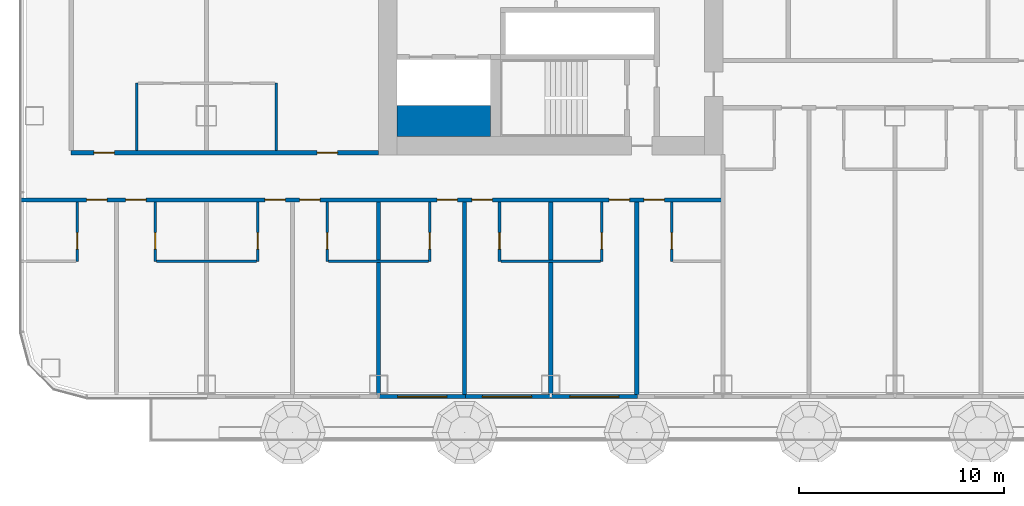
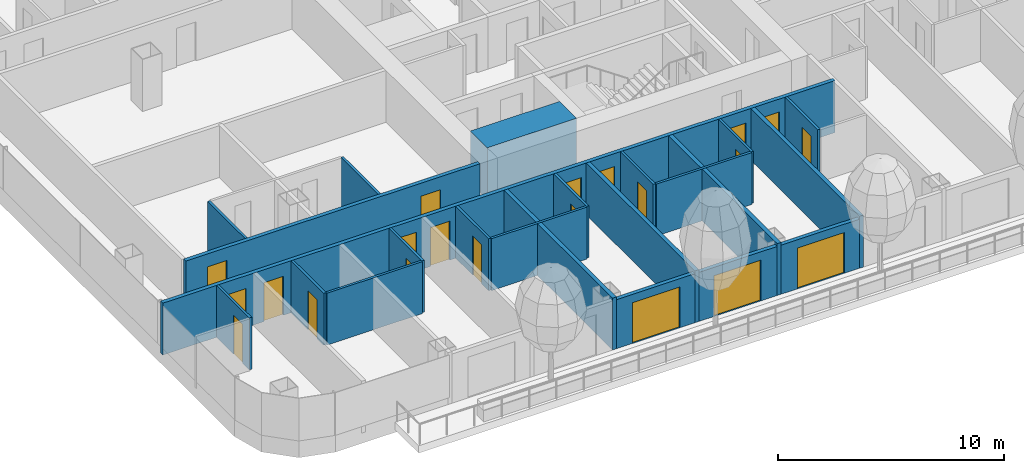
# One storey, part 13 of 37: 23 walls, 21 doors, 21 openings, 1 element without a shape of its own.
"""IFC4 building model written with IfcOpenShell, lengths in metres."""

from ifc_helpers import new_model, si_unit, direction, frame, frame_2d, origin, place, context, subcontext, project, spatial, rectangle, extrude, material, layer, layer_set, type_object, element, fill, aggregate, save


model = new_model("IFC4")

# Units and contexts
model_context = context("Model", 3, precision=1e-05, world=origin(), true_north=direction((0.0, 1.0)))
body_context = subcontext(model_context, "Body", "Model", "MODEL_VIEW")
ifc_project = project(units=[si_unit("LENGTHUNIT", "METRE"), si_unit("AREAUNIT", "SQUARE_METRE"), si_unit("VOLUMEUNIT", "CUBIC_METRE"), si_unit("PLANEANGLEUNIT", "RADIAN"), si_unit("MASSUNIT", "GRAM", prefix="KILO")], contexts=[model_context])

# Site, building, storey
site_placement = place(None, origin())
site = spatial("IfcSite", under=ifc_project, at=site_placement, CompositionType="ELEMENT")
building_placement = place(site_placement, origin())
building = spatial("IfcBuilding", under=site, at=building_placement, Name="Hakoniwa Tower and Hamabe Station Hall", CompositionType="ELEMENT")
storey_placement = place(building_placement, frame((0.0, 0.0, 39.0)))
storey = spatial("IfcBuildingStorey", under=building, at=storey_placement, Name="L10", CompositionType="ELEMENT", Elevation=39.0)

# Walls
ifc_material_1 = material(Name="Gypsum board partition", Category="gypsum")
ifc_layer_1 = layer(ifc_material_1, 0.125)
ifc_layer_set_1 = layer_set([ifc_layer_1], Name="Bathroom Partition 125")
wall_type_1 = type_object("IfcWallType", Name="Bathroom Partition 125", PredefinedType="PARTITIONING", material=ifc_layer_set_1)
for number, where, z_axis, x_axis, name in (
    (1, (-44.4375, -13.60009765625, 0.0), (0.0, 0.0, 1.0), (1.0, 0.0, 0.0), "GW-L10-002"),
    (2, (-36.03759765625, -13.60009765625, 0.0), (0.0, 0.0, 1.0), (1.0, 0.0, 0.0), "GW-L10-003"),
    (3, (-27.637451171875, -13.60009765625, 0.0), (0.0, 0.0, 1.0), (1.0, 0.0, 0.0), "GW-L10-004"),
):
    element("IfcWall", number, at=place(storey_placement, frame(where, z_axis=z_axis, x_axis=x_axis)), inside=storey, type_object=wall_type_1, Name=name, PredefinedType="PARTITIONING", context=body_context, shape_type="SweptSolid", body=[
        extrude(rectangle(XDim=4.875, YDim=0.125, at=frame_2d((2.4375, 0.0))), origin(), (0.0, 0.0, 1.0), 2.800048828125),
    ])

# Wall, opening, door
wall_1_placement = place(storey_placement, frame((-48.300048828125, -13.60009765625, 0.0), z_axis=(0.0, 0.0, 1.0), x_axis=(0.0, 1.0, 0.0)))
wall_1 = element("IfcWall", 4, at=wall_1_placement, inside=storey, type_object=wall_type_1, Name="GW-L10-047", PredefinedType="PARTITIONING", context=body_context, shape_type="SweptSolid", body=[
    extrude(rectangle(XDim=2.900146484375, YDim=0.125, at=frame_2d((1.4501953125, 0.0))), origin(), (0.0, 0.0, 1.0), 2.800048828125),
])
opening_1_placement = place(wall_1_placement, frame((0.60009765625, 0.0, 0.0)))
opening_1 = element("IfcOpeningElement", 5, at=opening_1_placement, cuts=wall_1, Name="Opening GD-G1B1-64", PredefinedType="OPENING", context=body_context, shape_type="SweptSolid", body=[
    extrude(rectangle(XDim=0.800048828125, YDim=2.10009765625, at=frame_2d((0.39990234375, 1.050048828125))), frame((0.0, 0.072509765625, 0.0), z_axis=(0.0, -1.0, 0.0), x_axis=(1.0, 0.0, 0.0)), (0.0, 0.0, 1.0), 0.14501953125),
])
ifc_material_2 = material(Name="Timber door leaf", Category="wood")
door_type_1 = type_object("IfcDoorType", Name="Bathroom Door 800", OperationType="SINGLE_SWING_LEFT", PredefinedType="DOOR", material=ifc_material_2)
door_1_placement = place(opening_1_placement, origin())
door_1 = element("IfcDoor", 6, at=door_1_placement, inside=storey, type_object=door_type_1, Name="Door GD-G1B1-64", OperationType="SINGLE_SWING_RIGHT", OverallHeight=2.10009765625, OverallWidth=0.800048828125, PredefinedType="DOOR", context=body_context, shape_type="SweptSolid", body=[
    extrude(rectangle(XDim=0.800048828125, YDim=2.10009765625, at=frame_2d((0.39990234375, 1.050048828125))), frame((0.0, 0.02490234375, 0.0), z_axis=(0.0, -1.0, 0.0), x_axis=(1.0, 0.0, 0.0)), (0.0, 0.0, 1.0), 0.050048828125),
])
fill(opening_1, door_1)

# Wall
wall_2_placement = place(storey_placement, frame((-45.39990234375, -8.199951171875, 0.0), z_axis=(0.0, 0.0, 1.0), x_axis=(0.0, 1.0, 0.0)))
element("IfcWall", 7, at=wall_2_placement, inside=storey, type_object=wall_type_1, Name="GW-L10-051", PredefinedType="PARTITIONING", context=body_context, shape_type="SweptSolid", body=[
    extrude(rectangle(XDim=3.300048828125, YDim=0.125, at=frame_2d((1.64990234375, 0.0))), origin(), (0.0, 0.0, 1.0), 2.800048828125),
])

# Wall, opening, door
wall_3_placement = place(storey_placement, frame((-44.5, -13.60009765625, 0.0), z_axis=(0.0, 0.0, 1.0), x_axis=(0.0, 1.0, 0.0)))
wall_3 = element("IfcWall", 8, at=wall_3_placement, inside=storey, type_object=wall_type_1, Name="GW-L10-052", PredefinedType="PARTITIONING", context=body_context, shape_type="SweptSolid", body=[
    extrude(rectangle(XDim=2.900146484375, YDim=0.125, at=frame_2d((1.4501953125, 0.0))), origin(), (0.0, 0.0, 1.0), 2.800048828125),
])
opening_2_placement = place(wall_3_placement, frame((0.60009765625, 0.0, 0.0)))
opening_2 = element("IfcOpeningElement", 9, at=opening_2_placement, cuts=wall_3, Name="Opening GD-G1B1-66", PredefinedType="OPENING", context=body_context, shape_type="SweptSolid", body=[
    extrude(rectangle(XDim=0.800048828125, YDim=2.10009765625, at=frame_2d((0.39990234375, 1.050048828125))), frame((0.0, 0.072509765625, 0.0), z_axis=(0.0, -1.0, 0.0), x_axis=(1.0, 0.0, 0.0)), (0.0, 0.0, 1.0), 0.14501953125),
])
door_2_placement = place(opening_2_placement, origin())
door_2 = element("IfcDoor", 10, at=door_2_placement, inside=storey, type_object=door_type_1, Name="Door GD-G1B1-66", OperationType="SINGLE_SWING_LEFT", OverallHeight=2.10009765625, OverallWidth=0.800048828125, PredefinedType="DOOR", context=body_context, shape_type="SweptSolid", body=[
    extrude(rectangle(XDim=0.800048828125, YDim=2.10009765625, at=frame_2d((0.39990234375, 1.050048828125))), frame((0.0, 0.02490234375, 0.0), z_axis=(0.0, -1.0, 0.0), x_axis=(1.0, 0.0, 0.0)), (0.0, 0.0, 1.0), 0.050048828125),
])
fill(opening_2, door_2)

wall_4_placement = place(storey_placement, frame((-39.5, -13.60009765625, 0.0), z_axis=(0.0, 0.0, 1.0), x_axis=(0.0, 1.0, 0.0)))
wall_4 = element("IfcWall", 11, at=wall_4_placement, inside=storey, type_object=wall_type_1, Name="GW-L10-057", PredefinedType="PARTITIONING", context=body_context, shape_type="SweptSolid", body=[
    extrude(rectangle(XDim=2.900146484375, YDim=0.125, at=frame_2d((1.4501953125, 0.0))), origin(), (0.0, 0.0, 1.0), 2.800048828125),
])
opening_3_placement = place(wall_4_placement, frame((0.60009765625, 0.0, 0.0)))
opening_3 = element("IfcOpeningElement", 12, at=opening_3_placement, cuts=wall_4, Name="Opening GD-G1B1-68", PredefinedType="OPENING", context=body_context, shape_type="SweptSolid", body=[
    extrude(rectangle(XDim=0.800048828125, YDim=2.10009765625, at=frame_2d((0.39990234375, 1.050048828125))), frame((0.0, 0.072509765625, 0.0), z_axis=(0.0, -1.0, 0.0), x_axis=(1.0, 0.0, 0.0)), (0.0, 0.0, 1.0), 0.14501953125),
])
door_3_placement = place(opening_3_placement, origin())
door_3 = element("IfcDoor", 13, at=door_3_placement, inside=storey, type_object=door_type_1, Name="Door GD-G1B1-68", OperationType="SINGLE_SWING_RIGHT", OverallHeight=2.10009765625, OverallWidth=0.800048828125, PredefinedType="DOOR", context=body_context, shape_type="SweptSolid", body=[
    extrude(rectangle(XDim=0.800048828125, YDim=2.10009765625, at=frame_2d((0.39990234375, 1.050048828125))), frame((0.0, 0.02490234375, 0.0), z_axis=(0.0, -1.0, 0.0), x_axis=(1.0, 0.0, 0.0)), (0.0, 0.0, 1.0), 0.050048828125),
])
fill(opening_3, door_3)

# Wall
wall_5_placement = place(storey_placement, frame((-38.60009765625, -8.199951171875, 0.0), z_axis=(0.0, 0.0, 1.0), x_axis=(0.0, 1.0, 0.0)))
element("IfcWall", 14, at=wall_5_placement, inside=storey, type_object=wall_type_1, Name="GW-L10-058", PredefinedType="PARTITIONING", context=body_context, shape_type="SweptSolid", body=[
    extrude(rectangle(XDim=3.300048828125, YDim=0.125, at=frame_2d((1.64990234375, 0.0))), origin(), (0.0, 0.0, 1.0), 2.800048828125),
])

# Wall, opening, door
wall_6_placement = place(storey_placement, frame((-36.10009765625, -13.60009765625, 0.0), z_axis=(0.0, 0.0, 1.0), x_axis=(0.0, 1.0, 0.0)))
wall_6 = element("IfcWall", 15, at=wall_6_placement, inside=storey, type_object=wall_type_1, Name="GW-L10-061", PredefinedType="PARTITIONING", context=body_context, shape_type="SweptSolid", body=[
    extrude(rectangle(XDim=2.900146484375, YDim=0.125, at=frame_2d((1.4501953125, 0.0))), origin(), (0.0, 0.0, 1.0), 2.800048828125),
])
opening_4_placement = place(wall_6_placement, frame((0.60009765625, 0.0, 0.0)))
opening_4 = element("IfcOpeningElement", 16, at=opening_4_placement, cuts=wall_6, Name="Opening GD-G1B1-70", PredefinedType="OPENING", context=body_context, shape_type="SweptSolid", body=[
    extrude(rectangle(XDim=0.800048828125, YDim=2.10009765625, at=frame_2d((0.39990234375, 1.050048828125))), frame((0.0, 0.072509765625, 0.0), z_axis=(0.0, -1.0, 0.0), x_axis=(1.0, 0.0, 0.0)), (0.0, 0.0, 1.0), 0.14501953125),
])
door_4_placement = place(opening_4_placement, origin())
door_4 = element("IfcDoor", 17, at=door_4_placement, inside=storey, type_object=door_type_1, Name="Door GD-G1B1-70", OperationType="SINGLE_SWING_LEFT", OverallHeight=2.10009765625, OverallWidth=0.800048828125, PredefinedType="DOOR", context=body_context, shape_type="SweptSolid", body=[
    extrude(rectangle(XDim=0.800048828125, YDim=2.10009765625, at=frame_2d((0.39990234375, 1.050048828125))), frame((0.0, 0.02490234375, 0.0), z_axis=(0.0, -1.0, 0.0), x_axis=(1.0, 0.0, 0.0)), (0.0, 0.0, 1.0), 0.050048828125),
])
fill(opening_4, door_4)

wall_7_placement = place(storey_placement, frame((-31.10009765625, -13.60009765625, 0.0), z_axis=(0.0, 0.0, 1.0), x_axis=(0.0, 1.0, 0.0)))
wall_7 = element("IfcWall", 18, at=wall_7_placement, inside=storey, type_object=wall_type_1, Name="GW-L10-064", PredefinedType="PARTITIONING", context=body_context, shape_type="SweptSolid", body=[
    extrude(rectangle(XDim=2.900146484375, YDim=0.125, at=frame_2d((1.4501953125, 0.0))), origin(), (0.0, 0.0, 1.0), 2.800048828125),
])
opening_5_placement = place(wall_7_placement, frame((0.60009765625, 0.0, 0.0)))
opening_5 = element("IfcOpeningElement", 19, at=opening_5_placement, cuts=wall_7, Name="Opening GD-G1B1-71", PredefinedType="OPENING", context=body_context, shape_type="SweptSolid", body=[
    extrude(rectangle(XDim=0.800048828125, YDim=2.10009765625, at=frame_2d((0.39990234375, 1.050048828125))), frame((0.0, 0.072509765625, 0.0), z_axis=(0.0, -1.0, 0.0), x_axis=(1.0, 0.0, 0.0)), (0.0, 0.0, 1.0), 0.14501953125),
])
door_5_placement = place(opening_5_placement, origin())
door_5 = element("IfcDoor", 20, at=door_5_placement, inside=storey, type_object=door_type_1, Name="Door GD-G1B1-71", OperationType="SINGLE_SWING_RIGHT", OverallHeight=2.10009765625, OverallWidth=0.800048828125, PredefinedType="DOOR", context=body_context, shape_type="SweptSolid", body=[
    extrude(rectangle(XDim=0.800048828125, YDim=2.10009765625, at=frame_2d((0.39990234375, 1.050048828125))), frame((0.0, 0.02490234375, 0.0), z_axis=(0.0, -1.0, 0.0), x_axis=(1.0, 0.0, 0.0)), (0.0, 0.0, 1.0), 0.050048828125),
])
fill(opening_5, door_5)

wall_8_placement = place(storey_placement, frame((-27.699951171875, -13.60009765625, 0.0), z_axis=(0.0, 0.0, 1.0), x_axis=(0.0, 1.0, 0.0)))
wall_8 = element("IfcWall", 21, at=wall_8_placement, inside=storey, type_object=wall_type_1, Name="GW-L10-067", PredefinedType="PARTITIONING", context=body_context, shape_type="SweptSolid", body=[
    extrude(rectangle(XDim=2.900146484375, YDim=0.125, at=frame_2d((1.4501953125, 0.0))), origin(), (0.0, 0.0, 1.0), 2.800048828125),
])
opening_6_placement = place(wall_8_placement, frame((0.60009765625, 0.0, 0.0)))
opening_6 = element("IfcOpeningElement", 22, at=opening_6_placement, cuts=wall_8, Name="Opening GD-G1B1-73", PredefinedType="OPENING", context=body_context, shape_type="SweptSolid", body=[
    extrude(rectangle(XDim=0.800048828125, YDim=2.10009765625, at=frame_2d((0.39990234375, 1.050048828125))), frame((0.0, 0.072509765625, 0.0), z_axis=(0.0, -1.0, 0.0), x_axis=(1.0, 0.0, 0.0)), (0.0, 0.0, 1.0), 0.14501953125),
])
door_6_placement = place(opening_6_placement, origin())
door_6 = element("IfcDoor", 23, at=door_6_placement, inside=storey, type_object=door_type_1, Name="Door GD-G1B1-73", OperationType="SINGLE_SWING_LEFT", OverallHeight=2.10009765625, OverallWidth=0.800048828125, PredefinedType="DOOR", context=body_context, shape_type="SweptSolid", body=[
    extrude(rectangle(XDim=0.800048828125, YDim=2.10009765625, at=frame_2d((0.39990234375, 1.050048828125))), frame((0.0, 0.02490234375, 0.0), z_axis=(0.0, -1.0, 0.0), x_axis=(1.0, 0.0, 0.0)), (0.0, 0.0, 1.0), 0.050048828125),
])
fill(opening_6, door_6)

wall_9_placement = place(storey_placement, frame((-22.699951171875, -13.60009765625, 0.0), z_axis=(0.0, 0.0, 1.0), x_axis=(0.0, 1.0, 0.0)))
wall_9 = element("IfcWall", 24, at=wall_9_placement, inside=storey, type_object=wall_type_1, Name="GW-L10-070", PredefinedType="PARTITIONING", context=body_context, shape_type="SweptSolid", body=[
    extrude(rectangle(XDim=2.900146484375, YDim=0.125, at=frame_2d((1.4501953125, 0.0))), origin(), (0.0, 0.0, 1.0), 2.800048828125),
])
opening_7_placement = place(wall_9_placement, frame((0.60009765625, 0.0, 0.0)))
opening_7 = element("IfcOpeningElement", 25, at=opening_7_placement, cuts=wall_9, Name="Opening GD-G1B1-74", PredefinedType="OPENING", context=body_context, shape_type="SweptSolid", body=[
    extrude(rectangle(XDim=0.800048828125, YDim=2.10009765625, at=frame_2d((0.39990234375, 1.050048828125))), frame((0.0, 0.072509765625, 0.0), z_axis=(0.0, -1.0, 0.0), x_axis=(1.0, 0.0, 0.0)), (0.0, 0.0, 1.0), 0.14501953125),
])
door_7_placement = place(opening_7_placement, origin())
door_7 = element("IfcDoor", 26, at=door_7_placement, inside=storey, type_object=door_type_1, Name="Door GD-G1B1-74", OperationType="SINGLE_SWING_RIGHT", OverallHeight=2.10009765625, OverallWidth=0.800048828125, PredefinedType="DOOR", context=body_context, shape_type="SweptSolid", body=[
    extrude(rectangle(XDim=0.800048828125, YDim=2.10009765625, at=frame_2d((0.39990234375, 1.050048828125))), frame((0.0, 0.02490234375, 0.0), z_axis=(0.0, -1.0, 0.0), x_axis=(1.0, 0.0, 0.0)), (0.0, 0.0, 1.0), 0.050048828125),
])
fill(opening_7, door_7)

wall_10_placement = place(storey_placement, frame((-19.300048828125, -13.60009765625, 0.0), z_axis=(0.0, 0.0, 1.0), x_axis=(0.0, 1.0, 0.0)))
wall_10 = element("IfcWall", 27, at=wall_10_placement, inside=storey, type_object=wall_type_1, Name="GW-L10-074", PredefinedType="PARTITIONING", context=body_context, shape_type="SweptSolid", body=[
    extrude(rectangle(XDim=2.900146484375, YDim=0.125, at=frame_2d((1.4501953125, 0.0))), origin(), (0.0, 0.0, 1.0), 2.800048828125),
])
opening_8_placement = place(wall_10_placement, frame((0.60009765625, 0.0, 0.0)))
opening_8 = element("IfcOpeningElement", 28, at=opening_8_placement, cuts=wall_10, Name="Opening GD-G1B1-76", PredefinedType="OPENING", context=body_context, shape_type="SweptSolid", body=[
    extrude(rectangle(XDim=0.800048828125, YDim=2.10009765625, at=frame_2d((0.39990234375, 1.050048828125))), frame((0.0, 0.072509765625, 0.0), z_axis=(0.0, -1.0, 0.0), x_axis=(1.0, 0.0, 0.0)), (0.0, 0.0, 1.0), 0.14501953125),
])
door_8_placement = place(opening_8_placement, origin())
door_8 = element("IfcDoor", 29, at=door_8_placement, inside=storey, type_object=door_type_1, Name="Door GD-G1B1-76", OperationType="SINGLE_SWING_LEFT", OverallHeight=2.10009765625, OverallWidth=0.800048828125, PredefinedType="DOOR", context=body_context, shape_type="SweptSolid", body=[
    extrude(rectangle(XDim=0.800048828125, YDim=2.10009765625, at=frame_2d((0.39990234375, 1.050048828125))), frame((0.0, 0.02490234375, 0.0), z_axis=(0.0, -1.0, 0.0), x_axis=(1.0, 0.0, 0.0)), (0.0, 0.0, 1.0), 0.050048828125),
])
fill(opening_8, door_8)

# Wall
ifc_material_3 = material(Name="Concrete C80", Category="concrete")
ifc_layer_2 = layer(ifc_material_3, 1.5)
ifc_layer_set_2 = layer_set([ifc_layer_2], Name="CORE WEB WALL 1500 C80")
wall_type_2 = type_object("IfcWallType", Name="CORE WEB WALL 1500 C80", PredefinedType="SHEAR", material=ifc_layer_set_2)
wall_11_placement = place(storey_placement, frame((-32.699951171875, -6.75, 0.0), z_axis=(0.0, 0.0, 1.0), x_axis=(1.0, 0.0, 0.0)))
element("IfcWall", 30, at=wall_11_placement, inside=storey, type_object=wall_type_2, Name="Core wall SER west", PredefinedType="SHEAR", context=body_context, shape_type="SweptSolid", body=[
    extrude(rectangle(XDim=4.550048828125, YDim=1.5, at=frame_2d((2.27490234375, 0.0))), origin(), (0.0, 0.0, 1.0), 2.800048828125),
])

# Wall, openings, doors
ifc_material_4 = material(Name="Fire-rated gypsum board partition", Category="gypsum")
ifc_layer_3 = layer(ifc_material_4, 0.199951171875)
ifc_layer_set_3 = layer_set([ifc_layer_3], Name="Corridor Wall 200")
wall_type_3 = type_object("IfcWallType", Name="Corridor Wall 200", PredefinedType="PARTITIONING", material=ifc_layer_set_3)
wall_12_placement = place(storey_placement, frame((-51.10009765625, -10.60009765625, 0.0), z_axis=(0.0, 0.0, 1.0), x_axis=(1.0, 0.0, 0.0)))
wall_12 = element("IfcWall", 31, at=wall_12_placement, inside=storey, type_object=wall_type_3, Name="GW-L10-011", PredefinedType="PARTITIONING", context=body_context, shape_type="SweptSolid", body=[
    extrude(rectangle(XDim=34.300048828125, YDim=0.199951171875, at=frame_2d((17.14990234375, 0.0))), origin(), (0.0, 0.0, 1.0), 2.800048828125),
])
opening_9_placement = place(wall_12_placement, frame((3.25, 0.0, 0.0)))
opening_9 = element("IfcOpeningElement", 32, at=opening_9_placement, cuts=wall_12, Name="Opening GD-G1B1-01", PredefinedType="OPENING", context=body_context, shape_type="SweptSolid", body=[
    extrude(rectangle(XDim=1.0, YDim=2.10009765625, at=frame_2d((0.5, 1.050048828125))), frame((0.0, 0.10986328125, 0.0), z_axis=(0.0, -1.0, 0.0), x_axis=(1.0, 0.0, 0.0)), (0.0, 0.0, 1.0), 0.219970703125),
])
opening_10_placement = place(wall_12_placement, frame((5.14990234375, 0.0, 0.0)))
opening_10 = element("IfcOpeningElement", 33, at=opening_10_placement, cuts=wall_12, Name="Opening GD-G1B1-02", PredefinedType="OPENING", context=body_context, shape_type="SweptSolid", body=[
    extrude(rectangle(XDim=1.0, YDim=2.10009765625, at=frame_2d((0.5, 1.050048828125))), frame((0.0, 0.10986328125, 0.0), z_axis=(0.0, -1.0, 0.0), x_axis=(1.0, 0.0, 0.0)), (0.0, 0.0, 1.0), 0.219970703125),
])
opening_11_placement = place(wall_12_placement, frame((11.949951171875, 0.0, 0.0)))
opening_11 = element("IfcOpeningElement", 34, at=opening_11_placement, cuts=wall_12, Name="Opening GD-G1B1-03", PredefinedType="OPENING", context=body_context, shape_type="SweptSolid", body=[
    extrude(rectangle(XDim=1.0, YDim=2.10009765625, at=frame_2d((0.5, 1.050048828125))), frame((0.0, 0.10986328125, 0.0), z_axis=(0.0, -1.0, 0.0), x_axis=(1.0, 0.0, 0.0)), (0.0, 0.0, 1.0), 0.219970703125),
])
opening_12_placement = place(wall_12_placement, frame((13.64990234375, 0.0, 0.0)))
opening_12 = element("IfcOpeningElement", 35, at=opening_12_placement, cuts=wall_12, Name="Opening GD-G1B1-04", PredefinedType="OPENING", context=body_context, shape_type="SweptSolid", body=[
    extrude(rectangle(XDim=1.0, YDim=2.10009765625, at=frame_2d((0.5, 1.050048828125))), frame((0.0, 0.10986328125, 0.0), z_axis=(0.0, -1.0, 0.0), x_axis=(1.0, 0.0, 0.0)), (0.0, 0.0, 1.0), 0.219970703125),
])
opening_13_placement = place(wall_12_placement, frame((20.35009765625, 0.0, 0.0)))
opening_13 = element("IfcOpeningElement", 36, at=opening_13_placement, cuts=wall_12, Name="Opening GD-G1B1-05", PredefinedType="OPENING", context=body_context, shape_type="SweptSolid", body=[
    extrude(rectangle(XDim=1.0, YDim=2.10009765625, at=frame_2d((0.5, 1.050048828125))), frame((0.0, 0.10986328125, 0.0), z_axis=(0.0, -1.0, 0.0), x_axis=(1.0, 0.0, 0.0)), (0.0, 0.0, 1.0), 0.219970703125),
])
opening_14_placement = place(wall_12_placement, frame((22.050048828125, 0.0, 0.0)))
opening_14 = element("IfcOpeningElement", 37, at=opening_14_placement, cuts=wall_12, Name="Opening GD-G1B1-06", PredefinedType="OPENING", context=body_context, shape_type="SweptSolid", body=[
    extrude(rectangle(XDim=1.0, YDim=2.10009765625, at=frame_2d((0.5, 1.050048828125))), frame((0.0, 0.10986328125, 0.0), z_axis=(0.0, -1.0, 0.0), x_axis=(1.0, 0.0, 0.0)), (0.0, 0.0, 1.0), 0.219970703125),
])
opening_15_placement = place(wall_12_placement, frame((28.75, 0.0, 0.0)))
opening_15 = element("IfcOpeningElement", 38, at=opening_15_placement, cuts=wall_12, Name="Opening GD-G1B1-07", PredefinedType="OPENING", context=body_context, shape_type="SweptSolid", body=[
    extrude(rectangle(XDim=1.0, YDim=2.10009765625, at=frame_2d((0.5, 1.050048828125))), frame((0.0, 0.10986328125, 0.0), z_axis=(0.0, -1.0, 0.0), x_axis=(1.0, 0.0, 0.0)), (0.0, 0.0, 1.0), 0.219970703125),
])
opening_16_placement = place(wall_12_placement, frame((30.449951171875, 0.0, 0.0)))
opening_16 = element("IfcOpeningElement", 39, at=opening_16_placement, cuts=wall_12, Name="Opening GD-G1B1-08", PredefinedType="OPENING", context=body_context, shape_type="SweptSolid", body=[
    extrude(rectangle(XDim=1.0, YDim=2.10009765625, at=frame_2d((0.5, 1.050048828125))), frame((0.0, 0.10986328125, 0.0), z_axis=(0.0, -1.0, 0.0), x_axis=(1.0, 0.0, 0.0)), (0.0, 0.0, 1.0), 0.219970703125),
])
ifc_material_5 = material(Name="Timber door leaf", Category="wood")
door_type_2 = type_object("IfcDoorType", Name="Guest Entrance Door 1000", OperationType="SINGLE_SWING_LEFT", PredefinedType="DOOR", material=ifc_material_5)
door_9_placement = place(opening_9_placement, origin())
door_9 = element("IfcDoor", 40, at=door_9_placement, inside=storey, type_object=door_type_2, Name="Door GD-G1B1-01", OperationType="SINGLE_SWING_RIGHT", OverallHeight=2.10009765625, OverallWidth=1.0, PredefinedType="DOOR", context=body_context, shape_type="SweptSolid", body=[
    extrude(rectangle(XDim=1.0, YDim=2.10009765625, at=frame_2d((0.5, 1.050048828125))), frame((0.0, 0.02490234375, 0.0), z_axis=(0.0, -1.0, 0.0), x_axis=(1.0, 0.0, 0.0)), (0.0, 0.0, 1.0), 0.050048828125),
])
fill(opening_9, door_9)
door_10_placement = place(opening_10_placement, origin())
door_10 = element("IfcDoor", 41, at=door_10_placement, inside=storey, type_object=door_type_2, Name="Door GD-G1B1-02", OperationType="SINGLE_SWING_LEFT", OverallHeight=2.10009765625, OverallWidth=1.0, PredefinedType="DOOR", context=body_context, shape_type="SweptSolid", body=[
    extrude(rectangle(XDim=1.0, YDim=2.10009765625, at=frame_2d((0.5, 1.050048828125))), frame((0.0, 0.02490234375, 0.0), z_axis=(0.0, -1.0, 0.0), x_axis=(1.0, 0.0, 0.0)), (0.0, 0.0, 1.0), 0.050048828125),
])
fill(opening_10, door_10)
door_11_placement = place(opening_11_placement, origin())
door_11 = element("IfcDoor", 42, at=door_11_placement, inside=storey, type_object=door_type_2, Name="Door GD-G1B1-03", OperationType="SINGLE_SWING_RIGHT", OverallHeight=2.10009765625, OverallWidth=1.0, PredefinedType="DOOR", context=body_context, shape_type="SweptSolid", body=[
    extrude(rectangle(XDim=1.0, YDim=2.10009765625, at=frame_2d((0.5, 1.050048828125))), frame((0.0, 0.02490234375, 0.0), z_axis=(0.0, -1.0, 0.0), x_axis=(1.0, 0.0, 0.0)), (0.0, 0.0, 1.0), 0.050048828125),
])
fill(opening_11, door_11)
door_12_placement = place(opening_12_placement, origin())
door_12 = element("IfcDoor", 43, at=door_12_placement, inside=storey, type_object=door_type_2, Name="Door GD-G1B1-04", OperationType="SINGLE_SWING_LEFT", OverallHeight=2.10009765625, OverallWidth=1.0, PredefinedType="DOOR", context=body_context, shape_type="SweptSolid", body=[
    extrude(rectangle(XDim=1.0, YDim=2.10009765625, at=frame_2d((0.5, 1.050048828125))), frame((0.0, 0.02490234375, 0.0), z_axis=(0.0, -1.0, 0.0), x_axis=(1.0, 0.0, 0.0)), (0.0, 0.0, 1.0), 0.050048828125),
])
fill(opening_12, door_12)
door_13_placement = place(opening_13_placement, origin())
door_13 = element("IfcDoor", 44, at=door_13_placement, inside=storey, type_object=door_type_2, Name="Door GD-G1B1-05", OperationType="SINGLE_SWING_RIGHT", OverallHeight=2.10009765625, OverallWidth=1.0, PredefinedType="DOOR", context=body_context, shape_type="SweptSolid", body=[
    extrude(rectangle(XDim=1.0, YDim=2.10009765625, at=frame_2d((0.5, 1.050048828125))), frame((0.0, 0.02490234375, 0.0), z_axis=(0.0, -1.0, 0.0), x_axis=(1.0, 0.0, 0.0)), (0.0, 0.0, 1.0), 0.050048828125),
])
fill(opening_13, door_13)
door_14_placement = place(opening_14_placement, origin())
door_14 = element("IfcDoor", 45, at=door_14_placement, inside=storey, type_object=door_type_2, Name="Door GD-G1B1-06", OperationType="SINGLE_SWING_LEFT", OverallHeight=2.10009765625, OverallWidth=1.0, PredefinedType="DOOR", context=body_context, shape_type="SweptSolid", body=[
    extrude(rectangle(XDim=1.0, YDim=2.10009765625, at=frame_2d((0.5, 1.050048828125))), frame((0.0, 0.02490234375, 0.0), z_axis=(0.0, -1.0, 0.0), x_axis=(1.0, 0.0, 0.0)), (0.0, 0.0, 1.0), 0.050048828125),
])
fill(opening_14, door_14)
door_15_placement = place(opening_15_placement, origin())
door_15 = element("IfcDoor", 46, at=door_15_placement, inside=storey, type_object=door_type_2, Name="Door GD-G1B1-07", OperationType="SINGLE_SWING_RIGHT", OverallHeight=2.10009765625, OverallWidth=1.0, PredefinedType="DOOR", context=body_context, shape_type="SweptSolid", body=[
    extrude(rectangle(XDim=1.0, YDim=2.10009765625, at=frame_2d((0.5, 1.050048828125))), frame((0.0, 0.02490234375, 0.0), z_axis=(0.0, -1.0, 0.0), x_axis=(1.0, 0.0, 0.0)), (0.0, 0.0, 1.0), 0.050048828125),
])
fill(opening_15, door_15)
door_16_placement = place(opening_16_placement, origin())
door_16 = element("IfcDoor", 47, at=door_16_placement, inside=storey, type_object=door_type_2, Name="Door GD-G1B1-08", OperationType="SINGLE_SWING_LEFT", OverallHeight=2.10009765625, OverallWidth=1.0, PredefinedType="DOOR", context=body_context, shape_type="SweptSolid", body=[
    extrude(rectangle(XDim=1.0, YDim=2.10009765625, at=frame_2d((0.5, 1.050048828125))), frame((0.0, 0.02490234375, 0.0), z_axis=(0.0, -1.0, 0.0), x_axis=(1.0, 0.0, 0.0)), (0.0, 0.0, 1.0), 0.050048828125),
])
fill(opening_16, door_16)

wall_13_placement = place(storey_placement, frame((-48.60009765625, -8.300048828125, 0.0), z_axis=(0.0, 0.0, 1.0), x_axis=(1.0, 0.0, 0.0)))
wall_13 = element("IfcWall", 48, at=wall_13_placement, inside=storey, type_object=wall_type_3, Name="GW-L10-018", PredefinedType="PARTITIONING", context=body_context, shape_type="SweptSolid", body=[
    extrude(rectangle(XDim=15.0, YDim=0.199951171875, at=frame_2d((7.5, 0.0))), origin(), (0.0, 0.0, 1.0), 2.800048828125),
])
opening_17_placement = place(wall_13_placement, frame((1.10009765625, 0.0, 0.0)))
opening_17 = element("IfcOpeningElement", 49, at=opening_17_placement, cuts=wall_13, Name="Opening GD-G1B1-17", PredefinedType="OPENING", context=body_context, shape_type="SweptSolid", body=[
    extrude(rectangle(XDim=1.0, YDim=2.10009765625, at=frame_2d((0.5, 1.050048828125))), frame((0.0, 0.10986328125, 0.0), z_axis=(0.0, -1.0, 0.0), x_axis=(1.0, 0.0, 0.0)), (0.0, 0.0, 1.0), 0.219970703125),
])
opening_18_placement = place(wall_13_placement, frame((12.0, 0.0, 0.0)))
opening_18 = element("IfcOpeningElement", 50, at=opening_18_placement, cuts=wall_13, Name="Opening GD-G1B1-18", PredefinedType="OPENING", context=body_context, shape_type="SweptSolid", body=[
    extrude(rectangle(XDim=1.0, YDim=2.10009765625, at=frame_2d((0.5, 1.050048828125))), frame((0.0, 0.10986328125, 0.0), z_axis=(0.0, -1.0, 0.0), x_axis=(1.0, 0.0, 0.0)), (0.0, 0.0, 1.0), 0.219970703125),
])
door_17_placement = place(opening_17_placement, origin())
door_17 = element("IfcDoor", 51, at=door_17_placement, inside=storey, type_object=door_type_2, Name="Door GD-G1B1-17", OperationType="SINGLE_SWING_RIGHT", OverallHeight=2.10009765625, OverallWidth=1.0, PredefinedType="DOOR", context=body_context, shape_type="SweptSolid", body=[
    extrude(rectangle(XDim=1.0, YDim=2.10009765625, at=frame_2d((0.5, 1.050048828125))), frame((0.0, 0.02490234375, 0.0), z_axis=(0.0, -1.0, 0.0), x_axis=(1.0, 0.0, 0.0)), (0.0, 0.0, 1.0), 0.050048828125),
])
fill(opening_17, door_17)
door_18_placement = place(opening_18_placement, origin())
door_18 = element("IfcDoor", 52, at=door_18_placement, inside=storey, type_object=door_type_2, Name="Door GD-G1B1-18", OperationType="SINGLE_SWING_LEFT", OverallHeight=2.10009765625, OverallWidth=1.0, PredefinedType="DOOR", context=body_context, shape_type="SweptSolid", body=[
    extrude(rectangle(XDim=1.0, YDim=2.10009765625, at=frame_2d((0.5, 1.050048828125))), frame((0.0, 0.02490234375, 0.0), z_axis=(0.0, -1.0, 0.0), x_axis=(1.0, 0.0, 0.0)), (0.0, 0.0, 1.0), 0.050048828125),
])
fill(opening_18, door_18)

# Curtain wall, walls, openings, doors
ifc_material_6 = material(Name="Dark low-e laminated glass", Category="glass")
ifc_layer_4 = layer(ifc_material_6, 0.199951171875)
ifc_layer_set_4 = layer_set([ifc_layer_4], Name="CW-1 UNITISED GUEST")
curtain_wall_type = type_object("IfcCurtainWallType", Name="CW-1 UNITISED GUEST", PredefinedType="NOTDEFINED", material=ifc_layer_set_4)
curtain_wall_placement = place(storey_placement, origin())
curtain_wall = element("IfcCurtainWall", 53, at=curtain_wall_placement, inside=storey, type_object=curtain_wall_type, Name="CW-1 curtain wall", PredefinedType="NOTDEFINED")
ifc_material_7 = material(Name="Dark glass-faced aluminium panel", Category="aluminium")
ifc_layer_5 = layer(ifc_material_7, 0.199951171875)
ifc_layer_set_5 = layer_set([ifc_layer_5], Name="DOOR BAY WALL")
wall_type_4 = type_object("IfcWallType", Name="DOOR BAY WALL", PredefinedType="NOTDEFINED", material=ifc_layer_set_5)
wall_14_placement = place(storey_placement, frame((-33.580078125, -20.199951171875, 0.0), z_axis=(0.0, 0.0, 1.0), x_axis=(1.0, 0.0, 0.0)))
wall_14 = element("IfcWall", 54, at=wall_14_placement, type_object=wall_type_4, Name="Door bay wall", PredefinedType="NOTDEFINED", context=body_context, shape_type="SweptSolid", body=[
    extrude(rectangle(XDim=4.219970703125, YDim=0.199951171875, at=frame_2d((2.10986328125, 0.0))), origin(), (0.0, 0.0, 1.0), 2.64990234375),
])
opening_19_placement = place(wall_14_placement, frame((0.909912109375, 0.0, 0.0)))
opening_19 = element("IfcOpeningElement", 55, at=opening_19_placement, cuts=wall_14, Name="Opening BD-S07-25", PredefinedType="OPENING", context=body_context, shape_type="SweptSolid", body=[
    extrude(rectangle(XDim=2.39990234375, YDim=2.199951171875, at=frame_2d((1.199951171875, 1.10009765625))), frame((0.0, 0.10986328125, 0.0), z_axis=(0.0, -1.0, 0.0), x_axis=(1.0, 0.0, 0.0)), (0.0, 0.0, 1.0), 0.219970703125),
])
ifc_material_8 = material(Name="Dark low-e laminated glass", Category="glass")
door_type_3 = type_object("IfcDoorType", Name="BALCONY SLIDING DOOR 2400X2200", OperationType="SLIDING_TO_LEFT", PredefinedType="DOOR", material=ifc_material_8)
door_19_placement = place(opening_19_placement, frame((2.39990234375, 0.0, 0.0), z_axis=(0.0, 0.0, 1.0), x_axis=(-1.0, 0.0, 0.0)))
door_19 = element("IfcDoor", 56, at=door_19_placement, inside=storey, type_object=door_type_3, Name="Balcony sliding door", OperationType="SLIDING_TO_LEFT", OverallHeight=2.199951171875, OverallWidth=2.39990234375, PredefinedType="DOOR", context=body_context, shape_type="SweptSolid", body=[
    extrude(rectangle(XDim=2.39990234375, YDim=2.199951171875, at=frame_2d((1.199951171875, 1.10009765625))), frame((0.0, 0.02490234375, 0.0), z_axis=(0.0, -1.0, 0.0), x_axis=(1.0, 0.0, 0.0)), (0.0, 0.0, 1.0), 0.050048828125),
])
fill(opening_19, door_19)
wall_15_placement = place(storey_placement, frame((-29.43994140625, -20.199951171875, 0.0), z_axis=(0.0, 0.0, 1.0), x_axis=(1.0, 0.0, 0.0)))
wall_15 = element("IfcWall", 57, at=wall_15_placement, type_object=wall_type_4, Name="Door bay wall", PredefinedType="NOTDEFINED", context=body_context, shape_type="SweptSolid", body=[
    extrude(rectangle(XDim=4.219970703125, YDim=0.199951171875, at=frame_2d((2.10986328125, 0.0))), origin(), (0.0, 0.0, 1.0), 2.64990234375),
])
opening_20_placement = place(wall_15_placement, frame((0.909912109375, 0.0, 0.0)))
opening_20 = element("IfcOpeningElement", 58, at=opening_20_placement, cuts=wall_15, Name="Opening BD-S07-26", PredefinedType="OPENING", context=body_context, shape_type="SweptSolid", body=[
    extrude(rectangle(XDim=2.39990234375, YDim=2.199951171875, at=frame_2d((1.199951171875, 1.10009765625))), frame((0.0, 0.10986328125, 0.0), z_axis=(0.0, -1.0, 0.0), x_axis=(1.0, 0.0, 0.0)), (0.0, 0.0, 1.0), 0.219970703125),
])
door_20_placement = place(opening_20_placement, frame((2.39990234375, 0.0, 0.0), z_axis=(0.0, 0.0, 1.0), x_axis=(-1.0, 0.0, 0.0)))
door_20 = element("IfcDoor", 59, at=door_20_placement, inside=storey, type_object=door_type_3, Name="Balcony sliding door", OperationType="SLIDING_TO_LEFT", OverallHeight=2.199951171875, OverallWidth=2.39990234375, PredefinedType="DOOR", context=body_context, shape_type="SweptSolid", body=[
    extrude(rectangle(XDim=2.39990234375, YDim=2.199951171875, at=frame_2d((1.199951171875, 1.10009765625))), frame((0.0, 0.02490234375, 0.0), z_axis=(0.0, -1.0, 0.0), x_axis=(1.0, 0.0, 0.0)), (0.0, 0.0, 1.0), 0.050048828125),
])
fill(opening_20, door_20)
wall_16_placement = place(storey_placement, frame((-25.179931640625, -20.199951171875, 0.0), z_axis=(0.0, 0.0, 1.0), x_axis=(1.0, 0.0, 0.0)))
wall_16 = element("IfcWall", 60, at=wall_16_placement, type_object=wall_type_4, Name="Door bay wall", PredefinedType="NOTDEFINED", context=body_context, shape_type="SweptSolid", body=[
    extrude(rectangle(XDim=4.219970703125, YDim=0.199951171875, at=frame_2d((2.10986328125, 0.0))), origin(), (0.0, 0.0, 1.0), 2.64990234375),
])
opening_21_placement = place(wall_16_placement, frame((0.909912109375, 0.0, 0.0)))
opening_21 = element("IfcOpeningElement", 61, at=opening_21_placement, cuts=wall_16, Name="Opening BD-S07-27", PredefinedType="OPENING", context=body_context, shape_type="SweptSolid", body=[
    extrude(rectangle(XDim=2.39990234375, YDim=2.199951171875, at=frame_2d((1.199951171875, 1.10009765625))), frame((0.0, 0.10986328125, 0.0), z_axis=(0.0, -1.0, 0.0), x_axis=(1.0, 0.0, 0.0)), (0.0, 0.0, 1.0), 0.219970703125),
])
door_21_placement = place(opening_21_placement, frame((2.39990234375, 0.0, 0.0), z_axis=(0.0, 0.0, 1.0), x_axis=(-1.0, 0.0, 0.0)))
door_21 = element("IfcDoor", 62, at=door_21_placement, inside=storey, type_object=door_type_3, Name="Balcony sliding door", OperationType="SLIDING_TO_LEFT", OverallHeight=2.199951171875, OverallWidth=2.39990234375, PredefinedType="DOOR", context=body_context, shape_type="SweptSolid", body=[
    extrude(rectangle(XDim=2.39990234375, YDim=2.199951171875, at=frame_2d((1.199951171875, 1.10009765625))), frame((0.0, 0.02490234375, 0.0), z_axis=(0.0, -1.0, 0.0), x_axis=(1.0, 0.0, 0.0)), (0.0, 0.0, 1.0), 0.050048828125),
])
fill(opening_21, door_21)
aggregate(curtain_wall, [wall_14, wall_15, wall_16])

# Walls
ifc_material_9 = material(Name="Fire-rated gypsum board partition", Category="gypsum")
ifc_layer_6 = layer(ifc_material_9, 0.199951171875)
ifc_layer_set_6 = layer_set([ifc_layer_6], Name="Party Wall 200")
wall_type_5 = type_object("IfcWallType", Name="Party Wall 200", PredefinedType="PARTITIONING", material=ifc_layer_set_6)
for number, where, z_axis, x_axis, name in (
    (63, (-33.60009765625, -20.300048828125, 0.0), (0.0, 0.0, 1.0), (0.0, 1.0, 0.0), "GW-L10-062"),
    (64, (-29.39990234375, -20.300048828125, 0.0), (0.0, 0.0, 1.0), (0.0, 1.0, 0.0), "GW-L10-065"),
    (65, (-25.199951171875, -20.300048828125, 0.0), (0.0, 0.0, 1.0), (0.0, 1.0, 0.0), "GW-L10-068"),
    (66, (-21.0, -20.300048828125, 0.0), (0.0, 0.0, 1.0), (0.0, 1.0, 0.0), "GW-L10-072"),
):
    element("IfcWall", number, at=place(storey_placement, frame(where, z_axis=z_axis, x_axis=x_axis)), inside=storey, type_object=wall_type_5, Name=name, PredefinedType="PARTITIONING", context=body_context, shape_type="SweptSolid", body=[
        extrude(rectangle(XDim=9.60009765625, YDim=0.199951171875, at=frame_2d((4.800048828125, 0.0))), origin(), (0.0, 0.0, 1.0), 2.800048828125),
    ])

save(model, "model.ifc")
